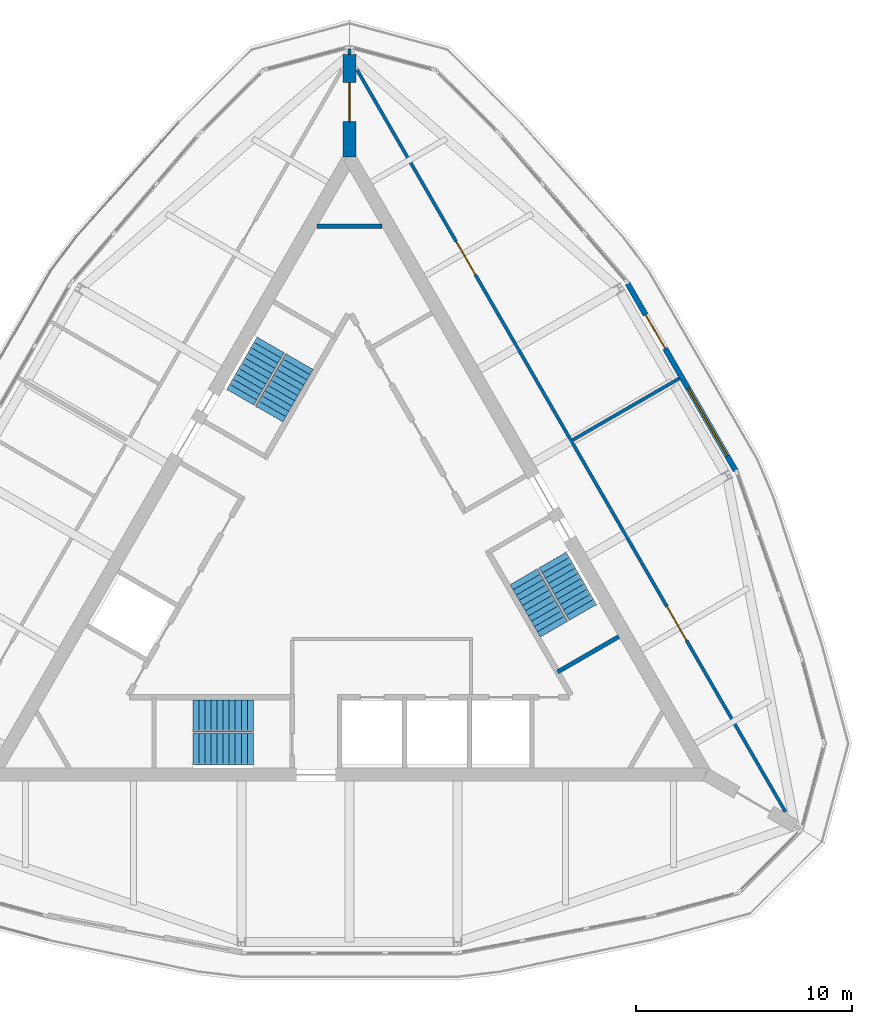
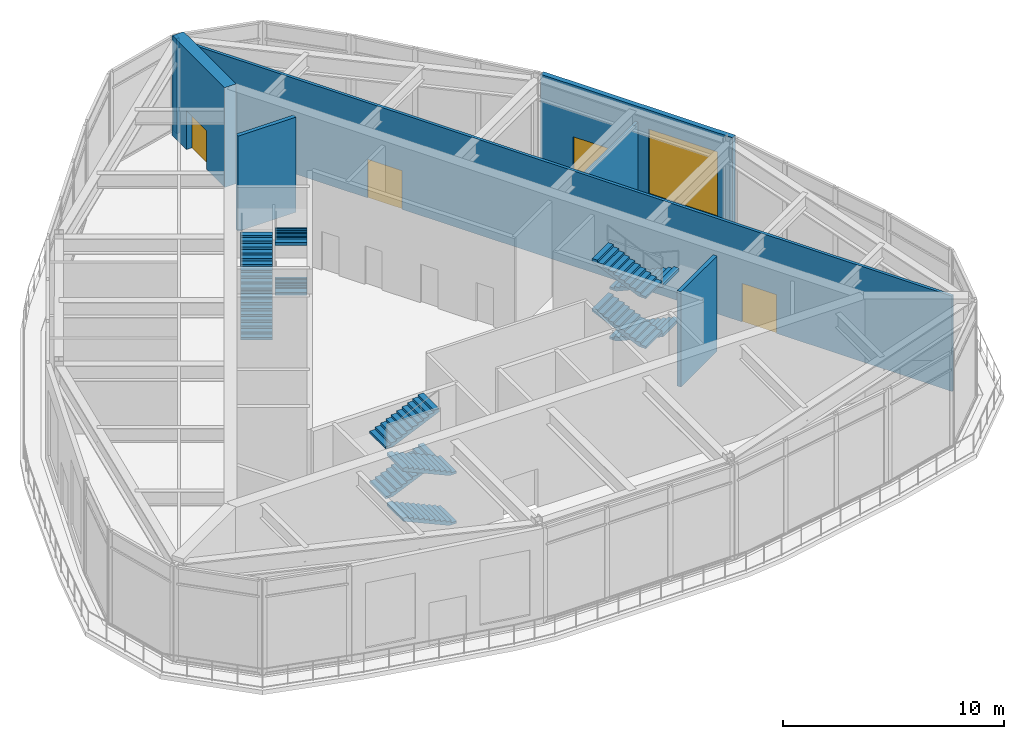
# One storey, part 7 of 9: 12 stair flights, 7 walls, 4 doors, 1 window, 5 openings, 3 elements without a shape of their own.
"""IFC4 building model written with IfcOpenShell, lengths in metres."""

from ifc_helpers import new_model, si_unit, direction, frame, frame_2d, origin, place, context, subcontext, project, spatial, polyline, rectangle, outline, extrude, material, layer, layer_set, type_object, element, fill, aggregate, save


model = new_model("IFC4")

# Units and contexts
model_context = context("Model", 3, precision=1e-05, world=origin(), true_north=direction((0.0, 1.0)))
body_context = subcontext(model_context, "Body", "Model", "MODEL_VIEW")
ifc_project = project(units=[si_unit("LENGTHUNIT", "METRE"), si_unit("AREAUNIT", "SQUARE_METRE"), si_unit("VOLUMEUNIT", "CUBIC_METRE"), si_unit("PLANEANGLEUNIT", "RADIAN"), si_unit("MASSUNIT", "GRAM", prefix="KILO")], contexts=[model_context])

# Site, building, storey
site_placement = place(None, origin())
site = spatial("IfcSite", under=ifc_project, at=site_placement, CompositionType="ELEMENT")
building_placement = place(site_placement, origin())
building = spatial("IfcBuilding", under=site, at=building_placement, Name="Trikona Tower", CompositionType="ELEMENT")
storey_placement = place(building_placement, frame((0.0, 0.0, 281.300048828125)))
storey = spatial("IfcBuildingStorey", under=building, at=storey_placement, Name="L74", CompositionType="ELEMENT", Elevation=281.300048828125)

# Wall, opening, door
ifc_material_1 = material(Name="Concrete f'c 10000 psi", Category="concrete")
ifc_layer_1 = layer(ifc_material_1, 0.60009765625)
ifc_layer_set_1 = layer_set([ifc_layer_1], Name="Buttress wall 600")
wall_type_1 = type_object("IfcWallType", Name="Buttress wall 600", PredefinedType="SHEAR", material=ifc_layer_set_1)
wall_1_placement = place(storey_placement, frame((0.0, 19.052490234375, 0.0), z_axis=(0.0, 0.0, 1.0), x_axis=(0.0, 1.0, 0.0)))
wall_1 = element("IfcWall", 1, at=wall_1_placement, inside=storey, type_object=wall_type_1, Name="Buttress wall 2", PredefinedType="SHEAR", context=body_context, shape_type="SweptSolid", body=[
    extrude(rectangle(XDim=4.74609375, YDim=0.60009765625, at=frame_2d((2.373046875, 0.0))), origin(), (0.0, 0.0, 1.0), 5.5),
])
opening_1_placement = place(wall_1_placement, frame((1.64990234375, 0.0, 0.0)))
opening_1 = element("IfcOpeningElement", 2, at=opening_1_placement, cuts=wall_1, Name="Opening D10", PredefinedType="OPENING", context=body_context, shape_type="SweptSolid", body=[
    extrude(rectangle(XDim=1.800048828125, YDim=2.1298828125, at=frame_2d((0.89990234375, 1.06494140625))), frame((0.0, 0.31005859375, 0.0), z_axis=(0.0, -1.0, 0.0), x_axis=(1.0, 0.0, 0.0)), (0.0, 0.0, 1.0), 0.6201171875),
])
ifc_material_2 = material(Name="Hollow metal door and frame", Category="steel")
door_type_1 = type_object("IfcDoorType", Name="Cross-corridor door pair 1800x2130", OperationType="DOUBLE_DOOR_DOUBLE_SWING", PredefinedType="DOOR", material=ifc_material_2)
door_1_placement = place(opening_1_placement, origin())
door_1 = element("IfcDoor", 3, at=door_1_placement, inside=storey, type_object=door_type_1, Name="Cross-corridor door 2", OperationType="DOUBLE_DOOR_DOUBLE_SWING", OverallHeight=2.1298828125, OverallWidth=1.800048828125, PredefinedType="DOOR", context=body_context, shape_type="SweptSolid", body=[
    extrude(rectangle(XDim=1.800048828125, YDim=2.1298828125, at=frame_2d((0.89990234375, 1.06494140625))), frame((0.0, 0.02490234375, 0.0), z_axis=(0.0, -1.0, 0.0), x_axis=(1.0, 0.0, 0.0)), (0.0, 0.0, 1.0), 0.050048828125),
])
fill(opening_1, door_1)

# Wall, openings, doors
ifc_material_3 = material(Name="Metal stud and gypsum board, 1-hour", Category="gypsum")
ifc_layer_2 = layer(ifc_material_3, 0.14990234375)
ifc_layer_set_2 = layer_set([ifc_layer_2], Name="Corridor wall 150")
wall_type_2 = type_object("IfcWallType", Name="Corridor wall 150", PredefinedType="PARTITIONING", material=ifc_layer_set_2)
wall_2_placement = place(storey_placement, frame((20.177001953125, -11.2451171875, 0.0), z_axis=(0.0, 0.0, 1.0), x_axis=(-0.499998875317, 0.866026053119, 0.0)))
wall_2 = element("IfcWall", 4, at=wall_2_placement, inside=storey, type_object=wall_type_2, Name="Corridor wall L74-2", PredefinedType="PARTITIONING", context=body_context, shape_type="SweptSolid", body=[
    extrude(rectangle(XDim=39.65380859375, YDim=0.14990234375, at=frame_2d((19.826904296875, 0.0))), origin(), (0.0, 0.0, 1.0), 5.25),
])
opening_2_placement = place(wall_2_placement, frame((9.16357421875, 0.0, 0.0)))
opening_2 = element("IfcOpeningElement", 5, at=opening_2_placement, cuts=wall_2, Name="Opening D4", PredefinedType="OPENING", context=body_context, shape_type="SweptSolid", body=[
    extrude(rectangle(XDim=1.800048828125, YDim=2.1298828125, at=frame_2d((0.89990234375, 1.06494140625))), frame((0.0, 0.0849609375, 0.0), z_axis=(0.0, -1.0, 0.0), x_axis=(1.0, 0.0, 0.0)), (0.0, 0.0, 1.0), 0.169921875),
])
opening_3_placement = place(wall_2_placement, frame((28.6904296875, 0.0, 0.0)))
opening_3 = element("IfcOpeningElement", 6, at=opening_3_placement, cuts=wall_2, Name="Opening D4", PredefinedType="OPENING", context=body_context, shape_type="SweptSolid", body=[
    extrude(rectangle(XDim=1.800048828125, YDim=2.1298828125, at=frame_2d((0.89990234375, 1.06494140625))), frame((0.0, 0.0849609375, 0.0), z_axis=(0.0, -1.0, 0.0), x_axis=(1.0, 0.0, 0.0)), (0.0, 0.0, 1.0), 0.169921875),
])
ifc_material_4 = material(Name="Steel door frame with solid-core timber leaf", Category="steel")
door_type_2 = type_object("IfcDoorType", Name="Assembly door pair 1800x2130", OperationType="DOUBLE_DOOR_SINGLE_SWING", PredefinedType="DOOR", material=ifc_material_4)
door_2_placement = place(opening_2_placement, origin())
door_2 = element("IfcDoor", 7, at=door_2_placement, inside=storey, type_object=door_type_2, Name="Door Restaurant kitchen", OperationType="DOUBLE_DOOR_SINGLE_SWING", OverallHeight=2.1298828125, OverallWidth=1.800048828125, PredefinedType="DOOR", context=body_context, shape_type="SweptSolid", body=[
    extrude(rectangle(XDim=1.800048828125, YDim=2.1298828125, at=frame_2d((0.89990234375, 1.06494140625))), frame((0.0, 0.02490234375, 0.0), z_axis=(0.0, -1.0, 0.0), x_axis=(1.0, 0.0, 0.0)), (0.0, 0.0, 1.0), 0.050048828125),
])
fill(opening_2, door_2)
door_3_placement = place(opening_3_placement, origin())
door_3 = element("IfcDoor", 8, at=door_3_placement, inside=storey, type_object=door_type_2, Name="Door Restaurant bar", OperationType="DOUBLE_DOOR_SINGLE_SWING", OverallHeight=2.1298828125, OverallWidth=1.800048828125, PredefinedType="DOOR", context=body_context, shape_type="SweptSolid", body=[
    extrude(rectangle(XDim=1.800048828125, YDim=2.1298828125, at=frame_2d((0.89990234375, 1.06494140625))), frame((0.0, 0.02490234375, 0.0), z_axis=(0.0, -1.0, 0.0), x_axis=(1.0, 0.0, 0.0)), (0.0, 0.0, 1.0), 0.050048828125),
])
fill(opening_3, door_3)

# Wall, openings, door, window
ifc_material_5 = material(Name="Insulated precast concrete spandrel panel", Category="concrete")
ifc_layer_3 = layer(ifc_material_5, 0.25)
ifc_layer_set_3 = layer_set([ifc_layer_3], Name="Inner skin wall 250")
wall_type_3 = type_object("IfcWallType", Name="Inner skin wall 250", PredefinedType="STANDARD", material=ifc_layer_set_3)
wall_3_placement = place(storey_placement, frame((17.87255859375, 4.54541015625, 0.0), z_axis=(0.0, 0.0, 1.0), x_axis=(-0.500004234368, 0.866022959057, 0.0)))
wall_3 = element("IfcWall", 9, at=wall_3_placement, inside=storey, type_object=wall_type_3, Name="External wall L74-08", PredefinedType="STANDARD", context=body_context, shape_type="SweptSolid", body=[
    extrude(rectangle(XDim=10.0, YDim=0.25, at=frame_2d((5.0, 0.0))), origin(), (0.0, 0.0, 1.0), 5.25),
])
opening_4_placement = place(wall_3_placement, frame((0.77490234375, 0.0, 0.60009765625)))
opening_4 = element("IfcOpeningElement", 10, at=opening_4_placement, cuts=wall_3, Name="Opening W3636", PredefinedType="OPENING", context=body_context, shape_type="SweptSolid", body=[
    extrude(rectangle(XDim=3.60009765625, YDim=3.60009765625, at=frame_2d((1.800048828125, 1.800048828125))), frame((0.0, 0.135009765625, 0.0), z_axis=(0.0, -1.0, 0.0), x_axis=(1.0, 0.0, 0.0)), (0.0, 0.0, 1.0), 0.27001953125),
])
opening_5_placement = place(wall_3_placement, frame((6.52490234375, 0.0, 0.0)))
opening_5 = element("IfcOpeningElement", 11, at=opening_5_placement, cuts=wall_3, Name="Opening D8", PredefinedType="OPENING", context=body_context, shape_type="SweptSolid", body=[
    extrude(rectangle(XDim=1.800048828125, YDim=2.39990234375, at=frame_2d((0.89990234375, 1.199951171875))), frame((0.0, 0.135009765625, 0.0), z_axis=(0.0, -1.0, 0.0), x_axis=(1.0, 0.0, 0.0)), (0.0, 0.0, 1.0), 0.27001953125),
])
ifc_material_6 = material(Name="Aluminium-framed glazed door", Category="aluminium")
door_type_3 = type_object("IfcDoorType", Name="Terrace door pair 1800x2400", OperationType="DOUBLE_DOOR_SINGLE_SWING", PredefinedType="DOOR", material=ifc_material_6)
door_4_placement = place(opening_5_placement, origin())
door_4 = element("IfcDoor", 12, at=door_4_placement, inside=storey, type_object=door_type_3, Name="Terrace door Restaurant bar", OperationType="DOUBLE_DOOR_SINGLE_SWING", OverallHeight=2.39990234375, OverallWidth=1.800048828125, PredefinedType="DOOR", context=body_context, shape_type="SweptSolid", body=[
    extrude(rectangle(XDim=1.800048828125, YDim=2.39990234375, at=frame_2d((0.89990234375, 1.199951171875))), frame((0.0, 0.02490234375, 0.0), z_axis=(0.0, -1.0, 0.0), x_axis=(1.0, 0.0, 0.0)), (0.0, 0.0, 1.0), 0.050048828125),
])
fill(opening_5, door_4)
ifc_material_7 = material(Name="Aluminium-framed double glazing", Category="aluminium")
window_type = type_object("IfcWindowType", Name="Window 3600x3600", PartitioningType="SINGLE_PANEL", PredefinedType="WINDOW", material=ifc_material_7)
window_placement = place(opening_4_placement, origin())
window = element("IfcWindow", 13, at=window_placement, inside=storey, type_object=window_type, Name="Window L74-KIT", OverallHeight=3.60009765625, OverallWidth=3.60009765625, PartitioningType="SINGLE_PANEL", PredefinedType="WINDOW", context=body_context, shape_type="SweptSolid", body=[
    extrude(rectangle(XDim=3.60009765625, YDim=3.60009765625, at=frame_2d((1.800048828125, 1.800048828125))), frame((0.0, 0.030029296875, 0.0), z_axis=(0.0, -1.0, 0.0), x_axis=(1.0, 0.0, 0.0)), (0.0, 0.0, 1.0), 0.06005859375),
])
fill(opening_4, window)

# Walls
ifc_material_8 = material(Name="Metal stud and gypsum board, 1-hour acoustic", Category="gypsum")
ifc_layer_4 = layer(ifc_material_8, 0.14990234375)
ifc_layer_set_4 = layer_set([ifc_layer_4], Name="Party wall 150")
wall_type_4 = type_object("IfcWallType", Name="Party wall 150", PredefinedType="PARTITIONING", material=ifc_layer_set_4)
wall_4_placement = place(storey_placement, frame((10.32861328125, 5.963134765625, 0.0), z_axis=(0.0, 0.0, 1.0), x_axis=(0.86601224135, 0.500022797313, 0.0)))
element("IfcWall", 14, at=wall_4_placement, inside=storey, type_object=wall_type_4, Name="Partition L74 F2 u0", PredefinedType="PARTITIONING", context=body_context, shape_type="SweptSolid", body=[
    extrude(rectangle(XDim=5.699462890625, YDim=0.14990234375, at=frame_2d((2.849609375, 0.0))), origin(), (0.0, 0.0, 1.0), 4.39404296875),
])
wall_5_placement = place(storey_placement, frame((0.0, 23.798583984375, 0.0), z_axis=(0.0, 0.0, 1.0), x_axis=(0.0, 1.0, 0.0)))
element("IfcWall", 15, at=wall_5_placement, inside=storey, type_object=wall_type_4, Name="Partition L74 Buttress wall 2 closure", PredefinedType="PARTITIONING", context=body_context, shape_type="SweptSolid", body=[
    extrude(rectangle(XDim=0.270263671875, YDim=0.14990234375, at=frame_2d((0.13525390625, 0.0))), origin(), (0.0, 0.0, 1.0), 5.25),
])
ifc_material_9 = material(Name="Concrete f'c 8000 psi", Category="concrete")
ifc_layer_5 = layer(ifc_material_9, 0.199951171875)
ifc_layer_set_5 = layer_set([ifc_layer_5], Name="Shaft wall 200")
wall_type_5 = type_object("IfcWallType", Name="Shaft wall 200", PredefinedType="SOLIDWALL", material=ifc_layer_set_5)
wall_6_placement = place(storey_placement, frame((-1.501220703125, 15.8525390625, 0.0), z_axis=(0.0, 0.0, 1.0), x_axis=(1.0, 0.0, 0.0)))
element("IfcWall", 16, at=wall_6_placement, inside=storey, type_object=wall_type_5, Name="Riser wall L74-RS2", PredefinedType="SOLIDWALL", context=body_context, shape_type="SweptSolid", body=[
    extrude(rectangle(XDim=3.00244140625, YDim=0.199951171875, at=frame_2d((1.501220703125, 0.0))), origin(), (0.0, 0.0, 1.0), 5.25),
])
ifc_material_10 = material(Name="Concrete f'c 8000 psi", Category="concrete")
ifc_layer_6 = layer(ifc_material_10, 0.199951171875)
ifc_layer_set_6 = layer_set([ifc_layer_6], Name="Shaft wall 200 load-bearing")
wall_type_6 = type_object("IfcWallType", Name="Shaft wall 200 load-bearing", PredefinedType="SOLIDWALL", material=ifc_layer_set_6)
wall_7_placement = place(storey_placement, frame((9.62890625, -4.775390625, 0.0), z_axis=(0.0, 0.0, 1.0), x_axis=(0.865995643347, 0.500051543047, 0.0)))
element("IfcWall", 17, at=wall_7_placement, inside=storey, type_object=wall_type_6, Name="Shaft wall B1", PredefinedType="SOLIDWALL", context=body_context, shape_type="SweptSolid", body=[
    extrude(rectangle(XDim=3.275146484375, YDim=0.199951171875, at=frame_2d((1.6376953125, 0.0))), origin(), (0.0, 0.0, 1.0), 5.25),
])

# Stair, stair flights
ifc_material_11 = material(Name="Concrete f'c 5000 psi", Category="concrete")
stair_type = type_object("IfcStairType", Name="Core stair", PredefinedType="HALF_TURN_STAIR", material=ifc_material_11)
stair_1_placement = place(storey_placement, origin())
stair_1 = element("IfcStair", 18, at=stair_1_placement, inside=storey, type_object=stair_type, Name="Stair A L74", PredefinedType="HALF_TURN_STAIR")
ifc_material_12 = material(Name="Concrete f'c 5000 psi", Category="concrete")
stair_flight_type = type_object("IfcStairFlightType", Name="Core stair flight 1450", PredefinedType="STRAIGHT", material=ifc_material_12)
stair_flight_1_placement = place(storey_placement, frame((-4.449951171875, -8.351318359375, 0.0), z_axis=(0.0, 0.0, 1.0), x_axis=(-1.0, 0.0, 0.0)))
stair_flight_1 = element("IfcStairFlight", 19, at=stair_flight_1_placement, type_object=stair_flight_type, Name="ST-A flight 1", NumberOfRisers=11, NumberOfTreads=10, PredefinedType="STRAIGHT", RiserHeight=0.125, TreadLength=0.28, context=body_context, shape_type="SweptSolid", body=[
    extrude(outline(polyline([(0.0, 0.0), (0.0, 0.125), (0.280029296875, 0.125), (0.280029296875, 0.25), (0.56005859375, 0.25), (0.56005859375, 0.375), (0.840087890625, 0.375), (0.840087890625, 0.5), (1.1201171875, 0.5), (1.1201171875, 0.625), (1.39990234375, 0.625), (1.39990234375, 0.75), (1.679931640625, 0.75), (1.679931640625, 0.875), (1.9599609375, 0.875), (1.9599609375, 1.0), (2.239990234375, 1.0), (2.239990234375, 1.125), (2.52001953125, 1.125), (2.52001953125, 1.25), (2.800048828125, 1.25), (2.800048828125, 1.375), (2.800048828125, 1.0859375), (0.36767578125, 0.0), (0.0, 0.0)])), frame((0.0, 0.72509765625, 0.0), z_axis=(0.0, -1.0, 0.0), x_axis=(1.0, 0.0, 0.0)), (0.0, 0.0, 1.0), 1.449951171875),
])
stair_flight_2_placement = place(storey_placement, frame((-7.25, -6.80126953125, 1.375), z_axis=(0.0, 0.0, 1.0), x_axis=(1.0, 0.0, 0.0)))
stair_flight_2 = element("IfcStairFlight", 20, at=stair_flight_2_placement, type_object=stair_flight_type, Name="ST-A flight 2", NumberOfRisers=11, NumberOfTreads=10, PredefinedType="STRAIGHT", RiserHeight=0.125, TreadLength=0.28, context=body_context, shape_type="SweptSolid", body=[
    extrude(outline(polyline([(0.0, 0.0), (0.0, 0.125), (0.280029296875, 0.125), (0.280029296875, 0.25), (0.56005859375, 0.25), (0.56005859375, 0.375), (0.840087890625, 0.375), (0.840087890625, 0.5), (1.1201171875, 0.5), (1.1201171875, 0.625), (1.39990234375, 0.625), (1.39990234375, 0.75), (1.679931640625, 0.75), (1.679931640625, 0.875), (1.9599609375, 0.875), (1.9599609375, 1.0), (2.239990234375, 1.0), (2.239990234375, 1.125), (2.52001953125, 1.125), (2.52001953125, 1.25), (2.800048828125, 1.25), (2.800048828125, 1.375), (2.800048828125, 1.0859375), (0.36767578125, 0.0), (0.0, 0.0)])), frame((0.0, 0.72509765625, 0.0), z_axis=(0.0, -1.0, 0.0), x_axis=(1.0, 0.0, 0.0)), (0.0, 0.0, 1.0), 1.449951171875),
])
stair_flight_3_placement = place(storey_placement, frame((-4.449951171875, -8.351318359375, 2.75), z_axis=(0.0, 0.0, 1.0), x_axis=(-1.0, 0.0, 0.0)))
stair_flight_3 = element("IfcStairFlight", 21, at=stair_flight_3_placement, type_object=stair_flight_type, Name="ST-A flight 3", NumberOfRisers=11, NumberOfTreads=10, PredefinedType="STRAIGHT", RiserHeight=0.125, TreadLength=0.28, context=body_context, shape_type="SweptSolid", body=[
    extrude(outline(polyline([(0.0, 0.0), (0.0, 0.125), (0.280029296875, 0.125), (0.280029296875, 0.25), (0.56005859375, 0.25), (0.56005859375, 0.375), (0.840087890625, 0.375), (0.840087890625, 0.5), (1.1201171875, 0.5), (1.1201171875, 0.625), (1.39990234375, 0.625), (1.39990234375, 0.75), (1.679931640625, 0.75), (1.679931640625, 0.875), (1.9599609375, 0.875), (1.9599609375, 1.0), (2.239990234375, 1.0), (2.239990234375, 1.125), (2.52001953125, 1.125), (2.52001953125, 1.25), (2.800048828125, 1.25), (2.800048828125, 1.375), (2.800048828125, 1.0859375), (0.36767578125, 0.0), (0.0, 0.0)])), frame((0.0, 0.72509765625, 0.0), z_axis=(0.0, -1.0, 0.0), x_axis=(1.0, 0.0, 0.0)), (0.0, 0.0, 1.0), 1.449951171875),
])
stair_flight_4_placement = place(storey_placement, frame((-7.25, -6.80126953125, 4.125), z_axis=(0.0, 0.0, 1.0), x_axis=(1.0, 0.0, 0.0)))
stair_flight_4 = element("IfcStairFlight", 22, at=stair_flight_4_placement, type_object=stair_flight_type, Name="ST-A flight 4", NumberOfRisers=11, NumberOfTreads=10, PredefinedType="STRAIGHT", RiserHeight=0.125, TreadLength=0.28, context=body_context, shape_type="SweptSolid", body=[
    extrude(outline(polyline([(0.0, 0.0), (0.0, 0.125), (0.280029296875, 0.125), (0.280029296875, 0.25), (0.56005859375, 0.25), (0.56005859375, 0.375), (0.840087890625, 0.375), (0.840087890625, 0.5), (1.1201171875, 0.5), (1.1201171875, 0.625), (1.39990234375, 0.625), (1.39990234375, 0.75), (1.679931640625, 0.75), (1.679931640625, 0.875), (1.9599609375, 0.875), (1.9599609375, 1.0), (2.239990234375, 1.0), (2.239990234375, 1.125), (2.52001953125, 1.125), (2.52001953125, 1.25), (2.800048828125, 1.25), (2.800048828125, 1.375), (2.800048828125, 1.0859375), (0.36767578125, 0.0), (0.0, 0.0)])), frame((0.0, 0.72509765625, 0.0), z_axis=(0.0, -1.0, 0.0), x_axis=(1.0, 0.0, 0.0)), (0.0, 0.0, 1.0), 1.449951171875),
])
aggregate(stair_1, [stair_flight_1, stair_flight_2, stair_flight_3, stair_flight_4])

stair_2_placement = place(storey_placement, origin())
stair_2 = element("IfcStair", 23, at=stair_2_placement, inside=storey, type_object=stair_type, Name="Stair B L74", PredefinedType="HALF_TURN_STAIR")
stair_flight_5_placement = place(storey_placement, frame((9.407470703125, 0.408447265625, 0.0), z_axis=(0.0, 0.0, 1.0), x_axis=(0.5, -0.866025403784, 0.0)))
stair_flight_5 = element("IfcStairFlight", 24, at=stair_flight_5_placement, type_object=stair_flight_type, Name="ST-B flight 1", NumberOfRisers=11, NumberOfTreads=10, PredefinedType="STRAIGHT", RiserHeight=0.125, TreadLength=0.28, context=body_context, shape_type="SweptSolid", body=[
    extrude(outline(polyline([(0.0, 0.0), (0.0, 0.125), (0.280029296875, 0.125), (0.280029296875, 0.25), (0.56005859375, 0.25), (0.56005859375, 0.375), (0.840087890625, 0.375), (0.840087890625, 0.5), (1.1201171875, 0.5), (1.1201171875, 0.625), (1.39990234375, 0.625), (1.39990234375, 0.75), (1.679931640625, 0.75), (1.679931640625, 0.875), (1.9599609375, 0.875), (1.9599609375, 1.0), (2.239990234375, 1.0), (2.239990234375, 1.125), (2.52001953125, 1.125), (2.52001953125, 1.25), (2.800048828125, 1.25), (2.800048828125, 1.375), (2.800048828125, 1.0859375), (0.36767578125, 0.0), (0.0, 0.0)])), frame((0.0, 0.72509765625, 0.0), z_axis=(0.0, -1.0, 0.0), x_axis=(1.0, 0.0, 0.0)), (0.0, 0.0, 1.0), 1.449951171875),
])
stair_flight_6_placement = place(storey_placement, frame((9.465087890625, -2.79150390625, 1.375), z_axis=(0.0, 0.0, 1.0), x_axis=(-0.5, 0.866025403784, 0.0)))
stair_flight_6 = element("IfcStairFlight", 25, at=stair_flight_6_placement, type_object=stair_flight_type, Name="ST-B flight 2", NumberOfRisers=11, NumberOfTreads=10, PredefinedType="STRAIGHT", RiserHeight=0.125, TreadLength=0.28, context=body_context, shape_type="SweptSolid", body=[
    extrude(outline(polyline([(0.0, 0.0), (0.0, 0.125), (0.280029296875, 0.125), (0.280029296875, 0.25), (0.56005859375, 0.25), (0.56005859375, 0.375), (0.840087890625, 0.375), (0.840087890625, 0.5), (1.1201171875, 0.5), (1.1201171875, 0.625), (1.39990234375, 0.625), (1.39990234375, 0.75), (1.679931640625, 0.75), (1.679931640625, 0.875), (1.9599609375, 0.875), (1.9599609375, 1.0), (2.239990234375, 1.0), (2.239990234375, 1.125), (2.52001953125, 1.125), (2.52001953125, 1.25), (2.800048828125, 1.25), (2.800048828125, 1.375), (2.800048828125, 1.0859375), (0.36767578125, 0.0), (0.0, 0.0)])), frame((0.0, 0.72509765625, 0.0), z_axis=(0.0, -1.0, 0.0), x_axis=(1.0, 0.0, 0.0)), (0.0, 0.0, 1.0), 1.449951171875),
])
stair_flight_7_placement = place(storey_placement, frame((9.407470703125, 0.408447265625, 2.75), z_axis=(0.0, 0.0, 1.0), x_axis=(0.5, -0.866025403784, 0.0)))
stair_flight_7 = element("IfcStairFlight", 26, at=stair_flight_7_placement, type_object=stair_flight_type, Name="ST-B flight 3", NumberOfRisers=11, NumberOfTreads=10, PredefinedType="STRAIGHT", RiserHeight=0.125, TreadLength=0.28, context=body_context, shape_type="SweptSolid", body=[
    extrude(outline(polyline([(0.0, 0.0), (0.0, 0.125), (0.280029296875, 0.125), (0.280029296875, 0.25), (0.56005859375, 0.25), (0.56005859375, 0.375), (0.840087890625, 0.375), (0.840087890625, 0.5), (1.1201171875, 0.5), (1.1201171875, 0.625), (1.39990234375, 0.625), (1.39990234375, 0.75), (1.679931640625, 0.75), (1.679931640625, 0.875), (1.9599609375, 0.875), (1.9599609375, 1.0), (2.239990234375, 1.0), (2.239990234375, 1.125), (2.52001953125, 1.125), (2.52001953125, 1.25), (2.800048828125, 1.25), (2.800048828125, 1.375), (2.800048828125, 1.0859375), (0.36767578125, 0.0), (0.0, 0.0)])), frame((0.0, 0.72509765625, 0.0), z_axis=(0.0, -1.0, 0.0), x_axis=(1.0, 0.0, 0.0)), (0.0, 0.0, 1.0), 1.449951171875),
])
stair_flight_8_placement = place(storey_placement, frame((9.465087890625, -2.79150390625, 4.125), z_axis=(0.0, 0.0, 1.0), x_axis=(-0.5, 0.866025403784, 0.0)))
stair_flight_8 = element("IfcStairFlight", 27, at=stair_flight_8_placement, type_object=stair_flight_type, Name="ST-B flight 4", NumberOfRisers=11, NumberOfTreads=10, PredefinedType="STRAIGHT", RiserHeight=0.125, TreadLength=0.28, context=body_context, shape_type="SweptSolid", body=[
    extrude(outline(polyline([(0.0, 0.0), (0.0, 0.125), (0.280029296875, 0.125), (0.280029296875, 0.25), (0.56005859375, 0.25), (0.56005859375, 0.375), (0.840087890625, 0.375), (0.840087890625, 0.5), (1.1201171875, 0.5), (1.1201171875, 0.625), (1.39990234375, 0.625), (1.39990234375, 0.75), (1.679931640625, 0.75), (1.679931640625, 0.875), (1.9599609375, 0.875), (1.9599609375, 1.0), (2.239990234375, 1.0), (2.239990234375, 1.125), (2.52001953125, 1.125), (2.52001953125, 1.25), (2.800048828125, 1.25), (2.800048828125, 1.375), (2.800048828125, 1.0859375), (0.36767578125, 0.0), (0.0, 0.0)])), frame((0.0, 0.72509765625, 0.0), z_axis=(0.0, -1.0, 0.0), x_axis=(1.0, 0.0, 0.0)), (0.0, 0.0, 1.0), 1.449951171875),
])
aggregate(stair_2, [stair_flight_5, stair_flight_6, stair_flight_7, stair_flight_8])

stair_3_placement = place(storey_placement, origin())
stair_3 = element("IfcStair", 28, at=stair_3_placement, inside=storey, type_object=stair_type, Name="Stair C L74", PredefinedType="HALF_TURN_STAIR")
stair_flight_9_placement = place(storey_placement, frame((-5.057373046875, 7.94287109375, 0.0), z_axis=(0.0, 0.0, 1.0), x_axis=(0.5, 0.866025403784, 0.0)))
stair_flight_9 = element("IfcStairFlight", 29, at=stair_flight_9_placement, type_object=stair_flight_type, Name="ST-C flight 1", NumberOfRisers=11, NumberOfTreads=10, PredefinedType="STRAIGHT", RiserHeight=0.125, TreadLength=0.28, context=body_context, shape_type="SweptSolid", body=[
    extrude(outline(polyline([(0.0, 0.0), (0.0, 0.125), (0.280029296875, 0.125), (0.280029296875, 0.25), (0.56005859375, 0.25), (0.56005859375, 0.375), (0.840087890625, 0.375), (0.840087890625, 0.5), (1.1201171875, 0.5), (1.1201171875, 0.625), (1.39990234375, 0.625), (1.39990234375, 0.75), (1.679931640625, 0.75), (1.679931640625, 0.875), (1.9599609375, 0.875), (1.9599609375, 1.0), (2.239990234375, 1.0), (2.239990234375, 1.125), (2.52001953125, 1.125), (2.52001953125, 1.25), (2.800048828125, 1.25), (2.800048828125, 1.375), (2.800048828125, 1.0859375), (0.36767578125, 0.0), (0.0, 0.0)])), frame((0.0, 0.72509765625, 0.0), z_axis=(0.0, -1.0, 0.0), x_axis=(1.0, 0.0, 0.0)), (0.0, 0.0, 1.0), 1.449951171875),
])
stair_flight_10_placement = place(storey_placement, frame((-2.315185546875, 9.5927734375, 1.375), z_axis=(0.0, 0.0, 1.0), x_axis=(-0.5, -0.866025403784, 0.0)))
stair_flight_10 = element("IfcStairFlight", 30, at=stair_flight_10_placement, type_object=stair_flight_type, Name="ST-C flight 2", NumberOfRisers=11, NumberOfTreads=10, PredefinedType="STRAIGHT", RiserHeight=0.125, TreadLength=0.28, context=body_context, shape_type="SweptSolid", body=[
    extrude(outline(polyline([(0.0, 0.0), (0.0, 0.125), (0.280029296875, 0.125), (0.280029296875, 0.25), (0.56005859375, 0.25), (0.56005859375, 0.375), (0.840087890625, 0.375), (0.840087890625, 0.5), (1.1201171875, 0.5), (1.1201171875, 0.625), (1.39990234375, 0.625), (1.39990234375, 0.75), (1.679931640625, 0.75), (1.679931640625, 0.875), (1.9599609375, 0.875), (1.9599609375, 1.0), (2.239990234375, 1.0), (2.239990234375, 1.125), (2.52001953125, 1.125), (2.52001953125, 1.25), (2.800048828125, 1.25), (2.800048828125, 1.375), (2.800048828125, 1.0859375), (0.36767578125, 0.0), (0.0, 0.0)])), frame((0.0, 0.72509765625, 0.0), z_axis=(0.0, -1.0, 0.0), x_axis=(1.0, 0.0, 0.0)), (0.0, 0.0, 1.0), 1.449951171875),
])
stair_flight_11_placement = place(storey_placement, frame((-5.057373046875, 7.94287109375, 2.75), z_axis=(0.0, 0.0, 1.0), x_axis=(0.5, 0.866025403784, 0.0)))
stair_flight_11 = element("IfcStairFlight", 31, at=stair_flight_11_placement, type_object=stair_flight_type, Name="ST-C flight 3", NumberOfRisers=11, NumberOfTreads=10, PredefinedType="STRAIGHT", RiserHeight=0.125, TreadLength=0.28, context=body_context, shape_type="SweptSolid", body=[
    extrude(outline(polyline([(0.0, 0.0), (0.0, 0.125), (0.280029296875, 0.125), (0.280029296875, 0.25), (0.56005859375, 0.25), (0.56005859375, 0.375), (0.840087890625, 0.375), (0.840087890625, 0.5), (1.1201171875, 0.5), (1.1201171875, 0.625), (1.39990234375, 0.625), (1.39990234375, 0.75), (1.679931640625, 0.75), (1.679931640625, 0.875), (1.9599609375, 0.875), (1.9599609375, 1.0), (2.239990234375, 1.0), (2.239990234375, 1.125), (2.52001953125, 1.125), (2.52001953125, 1.25), (2.800048828125, 1.25), (2.800048828125, 1.375), (2.800048828125, 1.0859375), (0.36767578125, 0.0), (0.0, 0.0)])), frame((0.0, 0.72509765625, 0.0), z_axis=(0.0, -1.0, 0.0), x_axis=(1.0, 0.0, 0.0)), (0.0, 0.0, 1.0), 1.449951171875),
])
stair_flight_12_placement = place(storey_placement, frame((-2.315185546875, 9.5927734375, 4.125), z_axis=(0.0, 0.0, 1.0), x_axis=(-0.5, -0.866025403784, 0.0)))
stair_flight_12 = element("IfcStairFlight", 32, at=stair_flight_12_placement, type_object=stair_flight_type, Name="ST-C flight 4", NumberOfRisers=11, NumberOfTreads=10, PredefinedType="STRAIGHT", RiserHeight=0.125, TreadLength=0.28, context=body_context, shape_type="SweptSolid", body=[
    extrude(outline(polyline([(0.0, 0.0), (0.0, 0.125), (0.280029296875, 0.125), (0.280029296875, 0.25), (0.56005859375, 0.25), (0.56005859375, 0.375), (0.840087890625, 0.375), (0.840087890625, 0.5), (1.1201171875, 0.5), (1.1201171875, 0.625), (1.39990234375, 0.625), (1.39990234375, 0.75), (1.679931640625, 0.75), (1.679931640625, 0.875), (1.9599609375, 0.875), (1.9599609375, 1.0), (2.239990234375, 1.0), (2.239990234375, 1.125), (2.52001953125, 1.125), (2.52001953125, 1.25), (2.800048828125, 1.25), (2.800048828125, 1.375), (2.800048828125, 1.0859375), (0.36767578125, 0.0), (0.0, 0.0)])), frame((0.0, 0.72509765625, 0.0), z_axis=(0.0, -1.0, 0.0), x_axis=(1.0, 0.0, 0.0)), (0.0, 0.0, 1.0), 1.449951171875),
])
aggregate(stair_3, [stair_flight_9, stair_flight_10, stair_flight_11, stair_flight_12])

save(model, "model.ifc")
